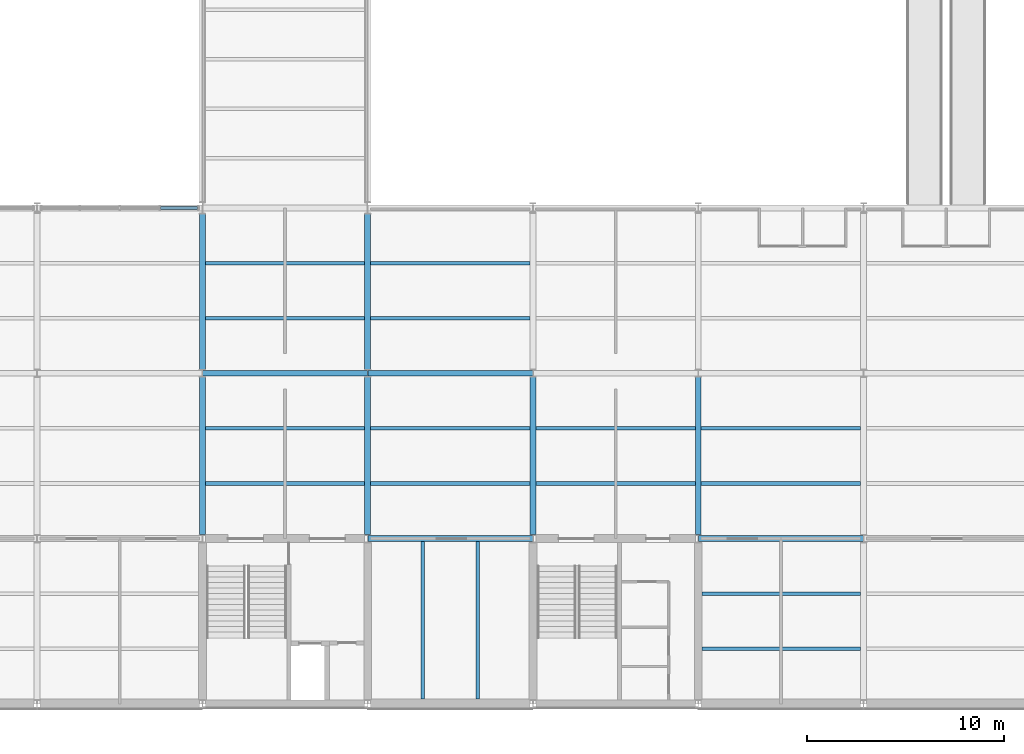
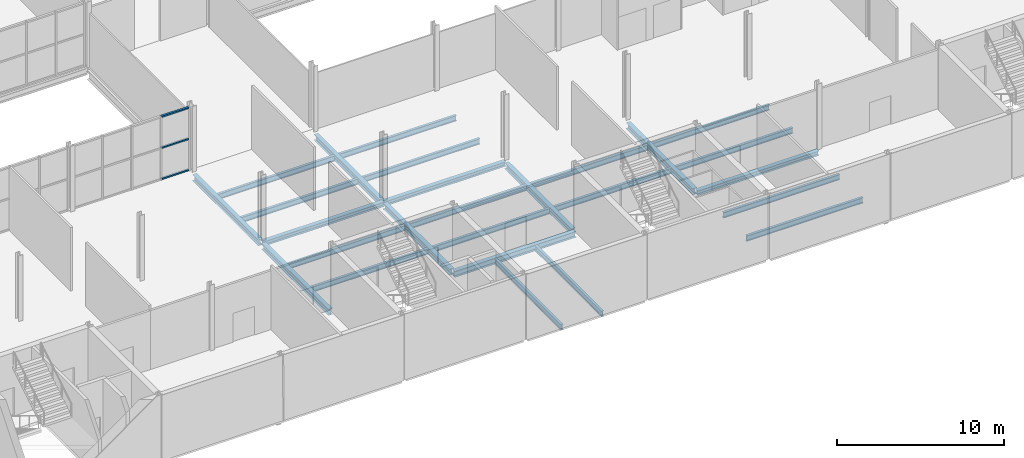
# One storey, part 11 of 57: 26 beams, 3 members, 1 element without a shape of its own.
"""IFC4 building model written with IfcOpenShell, lengths in metres."""

from ifc_helpers import new_model, si_unit, direction, frame, origin, origin_2d, place, context, subcontext, project, spatial, hollow_rectangle, i_section, extrude, material, layer, layer_set, material_profile, profile_set, type_object, element, aggregate, save


model = new_model("IFC4")

# Units and contexts
model_context = context("Model", 3, precision=1e-05, world=origin(), true_north=direction((0.0, 1.0)))
body_context = subcontext(model_context, "Body", "Model", "MODEL_VIEW")
ifc_project = project(units=[si_unit("LENGTHUNIT", "METRE"), si_unit("AREAUNIT", "SQUARE_METRE"), si_unit("VOLUMEUNIT", "CUBIC_METRE"), si_unit("PLANEANGLEUNIT", "RADIAN"), si_unit("MASSUNIT", "GRAM", prefix="KILO")], contexts=[model_context])

# Site, building, storey
site_placement = place(None, origin())
site = spatial("IfcSite", under=ifc_project, at=site_placement, CompositionType="ELEMENT")
building_placement = place(site_placement, origin())
building = spatial("IfcBuilding", under=site, at=building_placement, Name="Galleria Vessillo Department Store", CompositionType="ELEMENT")
storey_placement = place(building_placement, frame((0.0, 0.0, 21.0)))
storey = spatial("IfcBuildingStorey", under=building, at=storey_placement, Name="L04", CompositionType="ELEMENT", Elevation=21.0)

# Beams
ifc_material_1 = material(Name="Steel S355 J2", Category="steel")
ifc_material_profile_1 = material_profile(ifc_material_1, i_section(OverallWidth=0.300048828125, OverallDepth=0.43994140625, WebThickness=0.011474609375, FlangeThickness=0.02099609375, FilletRadius=0.027099609375, at=origin_2d()), Name="HEA 450")
ifc_profile_set_1 = profile_set([ifc_material_profile_1], Name="Steel S355 J2")
beam_type_1 = type_object("IfcBeamType", Name="Floor girder HEA 450", PredefinedType="BEAM", material=ifc_profile_set_1)
beam_1_placement = place(storey_placement, frame((42.0068359375, 8.39990234375, -0.369873046875), z_axis=(1.0, 0.0, 0.0), x_axis=(0.0, 1.0, 0.0)))
element("IfcBeam", 1, at=beam_1_placement, inside=storey, type_object=beam_type_1, Name="S-BM-L04-GI-x8400-42007", PredefinedType="BEAM", context=body_context, shape_type="SweptSolid", body=[
    extrude(i_section(OverallWidth=0.300048828125, OverallDepth=0.43994140625, WebThickness=0.011474609375, FlangeThickness=0.02099609375, FilletRadius=0.027099609375, at=origin_2d()), origin(), (0.0, 0.0, 1.0), 8.38623046875),
])
beam_2_placement = place(storey_placement, frame((33.60009765625, 8.60009765625, -0.369873046875), z_axis=(0.0, 1.0, 0.0), x_axis=(-1.0, 0.0, 0.0)))
element("IfcBeam", 2, at=beam_2_placement, inside=storey, type_object=beam_type_1, Name="S-BM-L04-GI-y33600-8600", PredefinedType="BEAM", context=body_context, shape_type="SweptSolid", body=[
    extrude(i_section(OverallWidth=0.300048828125, OverallDepth=0.43994140625, WebThickness=0.011474609375, FlangeThickness=0.02099609375, FilletRadius=0.027099609375, at=origin_2d()), origin(), (0.0, 0.0, 1.0), 7.999755859375),
])
beam_3_placement = place(storey_placement, frame((33.60009765625, 17.000244140625, -0.369873046875), z_axis=(0.0, 1.0, 0.0), x_axis=(-1.0, 0.0, 0.0)))
element("IfcBeam", 3, at=beam_3_placement, inside=storey, type_object=beam_type_1, Name="S-BM-L04-GI-y33600-17000", PredefinedType="BEAM", context=body_context, shape_type="SweptSolid", body=[
    extrude(i_section(OverallWidth=0.300048828125, OverallDepth=0.43994140625, WebThickness=0.011474609375, FlangeThickness=0.02099609375, FilletRadius=0.027099609375, at=origin_2d()), origin(), (0.0, 0.0, 1.0), 7.8896484375),
])
beam_4_placement = place(storey_placement, frame((42.0, 8.60009765625, -0.369873046875), z_axis=(0.0, 1.0, 0.0), x_axis=(-1.0, 0.0, 0.0)))
element("IfcBeam", 4, at=beam_4_placement, inside=storey, type_object=beam_type_1, Name="S-BM-L04-GI-y42000-8600", PredefinedType="BEAM", context=body_context, shape_type="SweptSolid", body=[
    extrude(i_section(OverallWidth=0.300048828125, OverallDepth=0.43994140625, WebThickness=0.011474609375, FlangeThickness=0.02099609375, FilletRadius=0.027099609375, at=origin_2d()), origin(), (0.0, 0.0, 1.0), 7.999755859375),
])
beam_5_placement = place(storey_placement, frame((42.0, 17.000244140625, -0.369873046875), z_axis=(0.0, 1.0, 0.0), x_axis=(-1.0, 0.0, 0.0)))
element("IfcBeam", 5, at=beam_5_placement, inside=storey, type_object=beam_type_1, Name="S-BM-L04-GI-y42000-17000", PredefinedType="BEAM", context=body_context, shape_type="SweptSolid", body=[
    extrude(i_section(OverallWidth=0.300048828125, OverallDepth=0.43994140625, WebThickness=0.011474609375, FlangeThickness=0.02099609375, FilletRadius=0.027099609375, at=origin_2d()), origin(), (0.0, 0.0, 1.0), 7.8896484375),
])
for number, where, z_axis, x_axis, name in (
    (6, (50.39990234375, 8.60009765625, -0.369873046875), (0.0, 1.0, 0.0), (-1.0, 0.0, 0.0), "S-BM-L04-GI-y50400-8600"),
    (7, (58.800048828125, 8.60009765625, -0.369873046875), (0.0, 1.0, 0.0), (-1.0, 0.0, 0.0), "S-BM-L04-GI-y58800-8600"),
):
    element("IfcBeam", number, at=place(storey_placement, frame(where, z_axis=z_axis, x_axis=x_axis)), inside=storey, type_object=beam_type_1, Name=name, PredefinedType="BEAM", context=body_context, shape_type="SweptSolid", body=[
        extrude(i_section(OverallWidth=0.300048828125, OverallDepth=0.43994140625, WebThickness=0.011474609375, FlangeThickness=0.02099609375, FilletRadius=0.027099609375, at=origin_2d()), origin(), (0.0, 0.0, 1.0), 7.999755859375),
    ])
ifc_material_2 = material(Name="Steel S355 J2", Category="steel")
ifc_material_profile_2 = material_profile(ifc_material_2, i_section(OverallWidth=0.179931640625, OverallDepth=0.39990234375, WebThickness=0.008544921875, FlangeThickness=0.013427734375, FilletRadius=0.02099609375, at=origin_2d()), Name="IPE 400")
ifc_profile_set_2 = profile_set([ifc_material_profile_2], Name="Steel S355 J2")
beam_type_2 = type_object("IfcBeamType", Name="Floor joist IPE 400", PredefinedType="JOIST", material=ifc_profile_set_2)
for number, where, z_axis, x_axis, name in (
    (8, (33.750244140625, 11.199951171875, -0.349853515625), (1.0, 0.0, 0.0), (0.0, 1.0, 0.0), "S-BM-L04-JO-x11200-33750"),
    (9, (33.750244140625, 14.0, -0.349853515625), (1.0, 0.0, 0.0), (0.0, 1.0, 0.0), "S-BM-L04-JO-x14000-33750"),
    (10, (33.750244140625, 19.60009765625, -0.349853515625), (1.0, 0.0, 0.0), (0.0, 1.0, 0.0), "S-BM-L04-JO-x19600-33750"),
    (11, (33.750244140625, 22.39990234375, -0.349853515625), (1.0, 0.0, 0.0), (0.0, 1.0, 0.0), "S-BM-L04-JO-x22400-33750"),
):
    element("IfcBeam", number, at=place(storey_placement, frame(where, z_axis=z_axis, x_axis=x_axis)), inside=storey, type_object=beam_type_2, Name=name, PredefinedType="JOIST", context=body_context, shape_type="SweptSolid", body=[
        extrude(i_section(OverallWidth=0.179931640625, OverallDepth=0.39990234375, WebThickness=0.008544921875, FlangeThickness=0.013427734375, FilletRadius=0.02099609375, at=origin_2d()), origin(), (0.0, 0.0, 1.0), 8.099609375),
    ])
for number, where, z_axis, x_axis, name in (
    (12, (44.800048828125, 0.250244140625, -0.349853515625), (0.0, 1.0, 0.0), (-1.0, 0.0, 0.0), "S-BM-L04-JO-y44800-250"),
    (13, (47.60009765625, 0.250244140625, -0.349853515625), (0.0, 1.0, 0.0), (-1.0, 0.0, 0.0), "S-BM-L04-JO-y47600-250"),
):
    element("IfcBeam", number, at=place(storey_placement, frame(where, z_axis=z_axis, x_axis=x_axis)), inside=storey, type_object=beam_type_2, Name=name, PredefinedType="JOIST", context=body_context, shape_type="SweptSolid", body=[
        extrude(i_section(OverallWidth=0.179931640625, OverallDepth=0.39990234375, WebThickness=0.008544921875, FlangeThickness=0.013427734375, FilletRadius=0.02099609375, at=origin_2d()), origin(), (0.0, 0.0, 1.0), 7.99951171875),
    ])
for number, where, z_axis, x_axis, name in (
    (14, (42.150146484375, 11.199951171875, -0.349853515625), (1.0, 0.0, 0.0), (0.0, 1.0, 0.0), "S-BM-L04-JO-x11200-42150"),
    (15, (42.150146484375, 14.0, -0.349853515625), (1.0, 0.0, 0.0), (0.0, 1.0, 0.0), "S-BM-L04-JO-x14000-42150"),
    (16, (42.150146484375, 19.60009765625, -0.349853515625), (1.0, 0.0, 0.0), (0.0, 1.0, 0.0), "S-BM-L04-JO-x19600-42150"),
    (17, (42.150146484375, 22.39990234375, -0.349853515625), (1.0, 0.0, 0.0), (0.0, 1.0, 0.0), "S-BM-L04-JO-x22400-42150"),
):
    element("IfcBeam", number, at=place(storey_placement, frame(where, z_axis=z_axis, x_axis=x_axis)), inside=storey, type_object=beam_type_2, Name=name, PredefinedType="JOIST", context=body_context, shape_type="SweptSolid", body=[
        extrude(i_section(OverallWidth=0.179931640625, OverallDepth=0.39990234375, WebThickness=0.008544921875, FlangeThickness=0.013427734375, FilletRadius=0.02099609375, at=origin_2d()), origin(), (0.0, 0.0, 1.0), 8.099609375),
    ])
for number, where, z_axis, x_axis, name in (
    (18, (50.550048828125, 11.199951171875, -0.349853515625), (1.0, 0.0, 0.0), (0.0, 1.0, 0.0), "S-BM-L04-JO-x11200-50550"),
    (19, (50.550048828125, 14.0, -0.349853515625), (1.0, 0.0, 0.0), (0.0, 1.0, 0.0), "S-BM-L04-JO-x14000-50550"),
):
    element("IfcBeam", number, at=place(storey_placement, frame(where, z_axis=z_axis, x_axis=x_axis)), inside=storey, type_object=beam_type_2, Name=name, PredefinedType="JOIST", context=body_context, shape_type="SweptSolid", body=[
        extrude(i_section(OverallWidth=0.179931640625, OverallDepth=0.39990234375, WebThickness=0.008544921875, FlangeThickness=0.013427734375, FilletRadius=0.02099609375, at=origin_2d()), origin(), (0.0, 0.0, 1.0), 8.099853515625),
    ])
for number, where, z_axis, x_axis, name in (
    (20, (59.000244140625, 2.800048828125, -0.349853515625), (1.0, 0.0, 0.0), (0.0, 1.0, 0.0), "S-BM-L04-JO-x2800-59000"),
    (21, (59.000244140625, 5.60009765625, -0.349853515625), (1.0, 0.0, 0.0), (0.0, 1.0, 0.0), "S-BM-L04-JO-x5600-59000"),
):
    element("IfcBeam", number, at=place(storey_placement, frame(where, z_axis=z_axis, x_axis=x_axis)), inside=storey, type_object=beam_type_2, Name=name, PredefinedType="JOIST", context=body_context, shape_type="SweptSolid", body=[
        extrude(i_section(OverallWidth=0.179931640625, OverallDepth=0.39990234375, WebThickness=0.008544921875, FlangeThickness=0.013427734375, FilletRadius=0.02099609375, at=origin_2d()), origin(), (0.0, 0.0, 1.0), 8.049560546875),
    ])
for number, where, z_axis, x_axis, name in (
    (22, (58.9501953125, 11.199951171875, -0.349853515625), (1.0, 0.0, 0.0), (0.0, 1.0, 0.0), "S-BM-L04-JO-x11200-58950"),
    (23, (58.9501953125, 14.0, -0.349853515625), (1.0, 0.0, 0.0), (0.0, 1.0, 0.0), "S-BM-L04-JO-x14000-58950"),
):
    element("IfcBeam", number, at=place(storey_placement, frame(where, z_axis=z_axis, x_axis=x_axis)), inside=storey, type_object=beam_type_2, Name=name, PredefinedType="JOIST", context=body_context, shape_type="SweptSolid", body=[
        extrude(i_section(OverallWidth=0.179931640625, OverallDepth=0.39990234375, WebThickness=0.008544921875, FlangeThickness=0.013427734375, FilletRadius=0.02099609375, at=origin_2d()), origin(), (0.0, 0.0, 1.0), 8.099609375),
    ])
ifc_material_3 = material(Name="Steel S355 J2", Category="steel")
ifc_material_profile_3 = material_profile(ifc_material_3, i_section(OverallWidth=0.300048828125, OverallDepth=0.330078125, WebThickness=0.009521484375, FlangeThickness=0.0166015625, FilletRadius=0.027099609375, at=origin_2d()), Name="HEA 340")
ifc_profile_set_3 = profile_set([ifc_material_profile_3], Name="Steel S355 J2")
beam_type_3 = type_object("IfcBeamType", Name="Floor tie girder HEA 340", PredefinedType="BEAM", material=ifc_profile_set_3)
for number, where, z_axis, x_axis, name in (
    (24, (58.806884765625, 8.39990234375, -0.31494140625), (1.0, 0.0, 0.0), (0.0, 1.0, 0.0), "S-BM-L04-TI-x8400-58807"),
    (25, (33.60693359375, 16.800048828125, -0.31494140625), (1.0, 0.0, 0.0), (0.0, 1.0, 0.0), "S-BM-L04-TI-x16800-33607"),
    (26, (42.0068359375, 16.800048828125, -0.31494140625), (1.0, 0.0, 0.0), (0.0, 1.0, 0.0), "S-BM-L04-TI-x16800-42007"),
):
    element("IfcBeam", number, at=place(storey_placement, frame(where, z_axis=z_axis, x_axis=x_axis)), inside=storey, type_object=beam_type_3, Name=name, PredefinedType="BEAM", context=body_context, shape_type="SweptSolid", body=[
        extrude(i_section(OverallWidth=0.300048828125, OverallDepth=0.330078125, WebThickness=0.009521484375, FlangeThickness=0.0166015625, FilletRadius=0.027099609375, at=origin_2d()), origin(), (0.0, 0.0, 1.0), 8.38623046875),
    ])

# Curtain wall, members
ifc_material_4 = material(Name="Steel and fire-resisting glass curtain wall", Category="steel")
ifc_layer = layer(ifc_material_4, 0.199951171875)
ifc_layer_set = layer_set([ifc_layer], Name="Steel and fire-resisting glass curtain wall")
curtain_wall_type = type_object("IfcCurtainWallType", Name="Arcade fire-resisting glazed shopfront EI 120-Sa", PredefinedType="NOTDEFINED", material=ifc_layer_set)
curtain_wall_placement = place(storey_placement, origin())
curtain_wall = element("IfcCurtainWall", 27, at=curtain_wall_placement, inside=storey, type_object=curtain_wall_type, Name="Arcade fire-resisting glazed shopfront EI 120-Sa AI-AW-S-L04-02", PredefinedType="NOTDEFINED")
ifc_material_5 = material(Name="Steel S355 J2", Category="steel")
ifc_material_profile_4 = material_profile(ifc_material_5, hollow_rectangle(XDim=0.14990234375, YDim=0.10009765625, WallThickness=0.008056640625, at=origin_2d()), Name="RHS 150x100x8")
ifc_profile_set_4 = profile_set([ifc_material_profile_4], Name="Steel S355 J2")
member_type = type_object("IfcMemberType", Name="Steel transom RHS 150x100x8", PredefinedType="USERDEFINED", material=ifc_profile_set_4)
member_1_placement = place(storey_placement, frame((31.473876953125, 25.199951171875, 0.050048828125), z_axis=(1.0, 0.0, 0.0), x_axis=(0.0, 1.0, 0.0)))
member_1 = element("IfcMember", 28, at=member_1_placement, type_object=member_type, Name="CW7 transom 4.1", ObjectType="TRANSOM", PredefinedType="USERDEFINED", context=body_context, shape_type="SweptSolid", body=[
    extrude(hollow_rectangle(XDim=0.14990234375, YDim=0.10009765625, WallThickness=0.008056640625, at=origin_2d()), origin(), (0.0, 0.0, 1.0), 1.87353515625),
])
member_2_placement = place(storey_placement, frame((31.473876953125, 25.199951171875, 2.3251953125), z_axis=(1.0, 0.0, 0.0), x_axis=(0.0, 1.0, 0.0)))
member_2 = element("IfcMember", 29, at=member_2_placement, type_object=member_type, Name="CW7 transom 4.2", ObjectType="TRANSOM", PredefinedType="USERDEFINED", context=body_context, shape_type="SweptSolid", body=[
    extrude(hollow_rectangle(XDim=0.14990234375, YDim=0.10009765625, WallThickness=0.008056640625, at=origin_2d()), origin(), (0.0, 0.0, 1.0), 1.87353515625),
])
member_3_placement = place(storey_placement, frame((31.473876953125, 25.199951171875, 4.60009765625), z_axis=(1.0, 0.0, 0.0), x_axis=(0.0, 1.0, 0.0)))
member_3 = element("IfcMember", 30, at=member_3_placement, type_object=member_type, Name="CW7 transom 4.3", ObjectType="TRANSOM", PredefinedType="USERDEFINED", context=body_context, shape_type="SweptSolid", body=[
    extrude(hollow_rectangle(XDim=0.14990234375, YDim=0.10009765625, WallThickness=0.008056640625, at=origin_2d()), origin(), (0.0, 0.0, 1.0), 1.87353515625),
])
aggregate(curtain_wall, [member_1, member_2, member_3])

save(model, "model.ifc")
